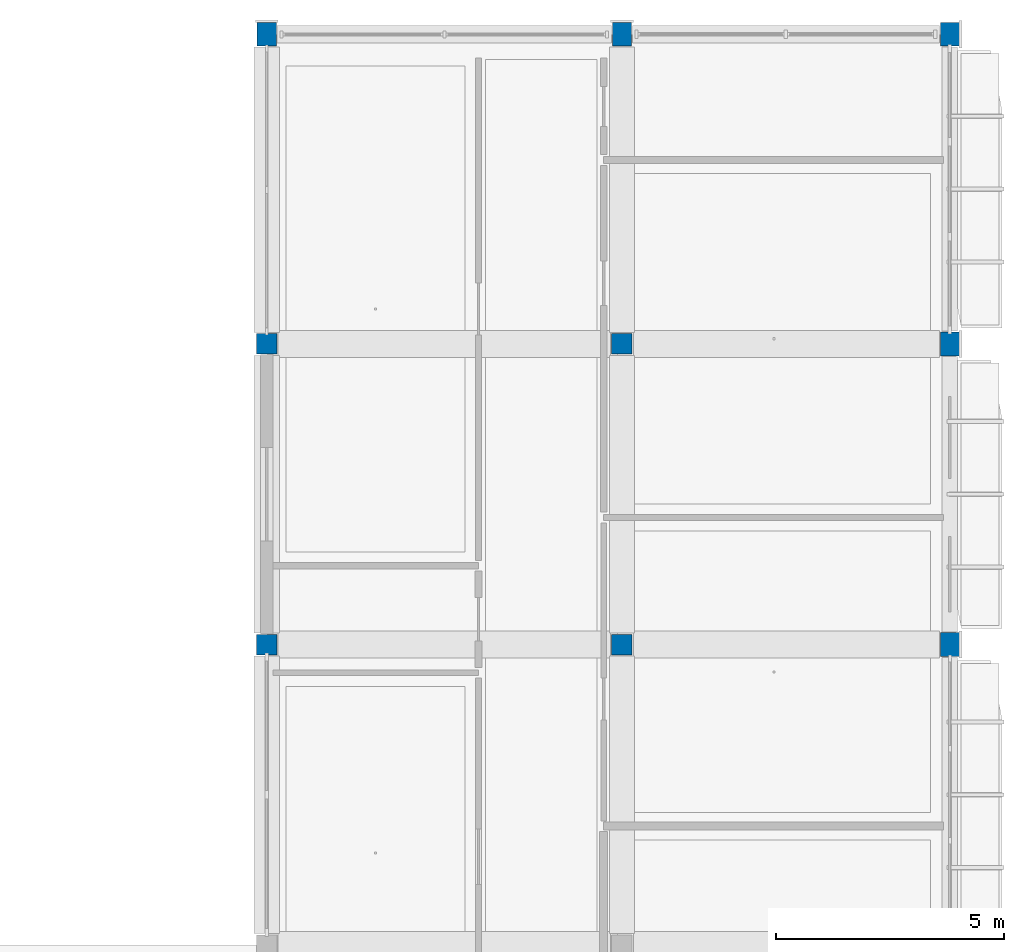
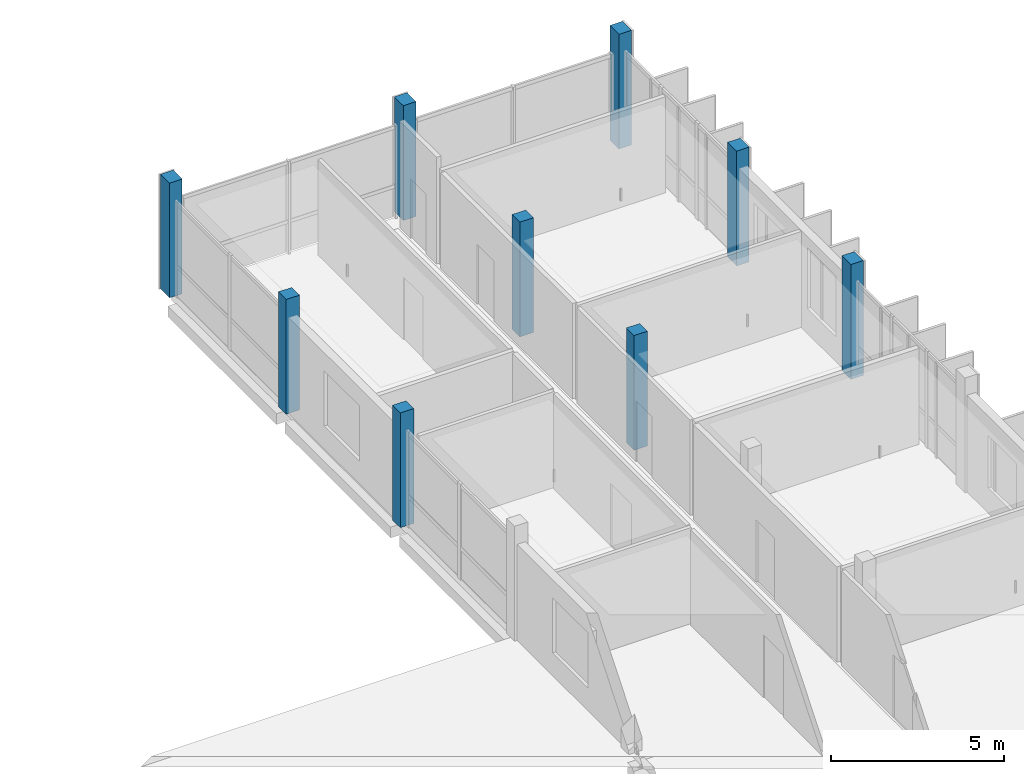
# One storey, part 4 of 86: 9 columns.
"""IFC4 building model written with IfcOpenShell, lengths in metres."""

from ifc_helpers import new_model, si_unit, derived_unit, direction, frame, origin, origin_2d, place, context, subcontext, project, spatial, rectangle, extrude, material, material_profile, profile_set, type_object, element, save


model = new_model("IFC4")

# Units and contexts
model_context = context("Model", 3, precision=1e-05, world=origin(), true_north=direction((0.0, 1.0)))
body_context = subcontext(model_context, "Body", "Model", "MODEL_VIEW")
ifc_project = project(units=[si_unit("LENGTHUNIT", "METRE"), si_unit("AREAUNIT", "SQUARE_METRE"), si_unit("VOLUMEUNIT", "CUBIC_METRE"), si_unit("PLANEANGLEUNIT", "RADIAN"), si_unit("MASSUNIT", "GRAM", prefix="KILO"), derived_unit("THERMALTRANSMITTANCEUNIT", [(si_unit("POWERUNIT", "WATT"), 1), (si_unit("LENGTHUNIT", "METRE"), -2), (si_unit("THERMODYNAMICTEMPERATUREUNIT", "KELVIN"), -1)])], contexts=[model_context])

# Site, building, storey
site_placement = place(None, origin())
site = spatial("IfcSite", under=ifc_project, at=site_placement, CompositionType="ELEMENT")
building_placement = place(site_placement, origin())
building = spatial("IfcBuilding", under=site, at=building_placement, Name="Braskholm Square Health Centre", CompositionType="ELEMENT")
storey_placement = place(building_placement, frame((0.0, 0.0, 13.5)))
storey = spatial("IfcBuildingStorey", under=building, at=storey_placement, Name="L04", CompositionType="ELEMENT", Elevation=13.5)

# Columns
ifc_material_1 = material(Name="Concrete C40/50 (f'c = 40 MPa)", Category="concrete")
ifc_material_profile_1 = material_profile(ifc_material_1, rectangle(XDim=0.449951171875, YDim=0.449951171875, at=origin_2d()), Name="RC-450X450")
ifc_profile_set_1 = profile_set([ifc_material_profile_1], Name="Concrete C40/50 (f'c = 40 MPa)")
column_type_1 = type_object("IfcColumnType", Name="ColInteriorTop450", PredefinedType="COLUMN", material=ifc_profile_set_1)
for number, where, z_axis, x_axis, name in (
    (1, (148.800048828125, 100.39990234375, 0.0), (0.0, 0.0, 1.0), (1.0, 0.0, 0.0), "Column 20/Q L04"),
    (2, (148.800048828125, 107.0, 0.0), (0.0, 0.0, 1.0), (1.0, 0.0, 0.0), "Column 20/R L04"),
    (3, (156.60009765625, 100.39990234375, 0.0), (0.0, 0.0, 1.0), (1.0, 0.0, 0.0), "Column 21/Q L04"),
    (4, (156.60009765625, 107.0, 0.0), (0.0, 0.0, 1.0), (1.0, 0.0, 0.0), "Column 21/R L04"),
):
    element("IfcColumn", number, at=place(storey_placement, frame(where, z_axis=z_axis, x_axis=x_axis)), inside=storey, type_object=column_type_1, Name=name, PredefinedType="COLUMN", context=body_context, shape_type="SweptSolid", body=[
        extrude(rectangle(XDim=0.449951171875, YDim=0.449951171875, at=origin_2d()), origin(), (0.0, 0.0, 1.0), 4.050048828125),
    ])
ifc_material_2 = material(Name="Precast concrete C40/50 architectural white", Category="concrete")
ifc_material_profile_2 = material_profile(ifc_material_2, rectangle(XDim=0.419921875, YDim=0.52001953125, at=origin_2d()), Name="RC-420X520")
ifc_profile_set_2 = profile_set([ifc_material_profile_2], Name="Precast concrete C40/50 architectural white")
column_type_2 = type_object("IfcColumnType", Name="ColPrecastFrame420x520", PredefinedType="COLUMN", material=ifc_profile_set_2)
for number, where, z_axis, x_axis, name in (
    (5, (148.800048828125, 113.800048828125, 0.0), (0.0, 0.0, 1.0), (1.0, 0.0, 0.0), "Column 20/S L04"),
    (6, (156.60009765625, 113.800048828125, 0.0), (0.0, 0.0, 1.0), (1.0, 0.0, 0.0), "Column 21/S L04"),
    (7, (163.800048828125, 100.39990234375, 0.0), (0.0, 0.0, 1.0), (1.0, 0.0, 0.0), "Column 22/Q L04"),
    (8, (163.800048828125, 107.0, 0.0), (0.0, 0.0, 1.0), (1.0, 0.0, 0.0), "Column 22/R L04"),
    (9, (163.800048828125, 113.800048828125, 0.0), (0.0, 0.0, 1.0), (1.0, 0.0, 0.0), "Column 22/S L04"),
):
    element("IfcColumn", number, at=place(storey_placement, frame(where, z_axis=z_axis, x_axis=x_axis)), inside=storey, type_object=column_type_2, Name=name, PredefinedType="COLUMN", context=body_context, shape_type="SweptSolid", body=[
        extrude(rectangle(XDim=0.419921875, YDim=0.52001953125, at=origin_2d()), origin(), (0.0, 0.0, 1.0), 4.050048828125),
    ])

save(model, "model.ifc")
